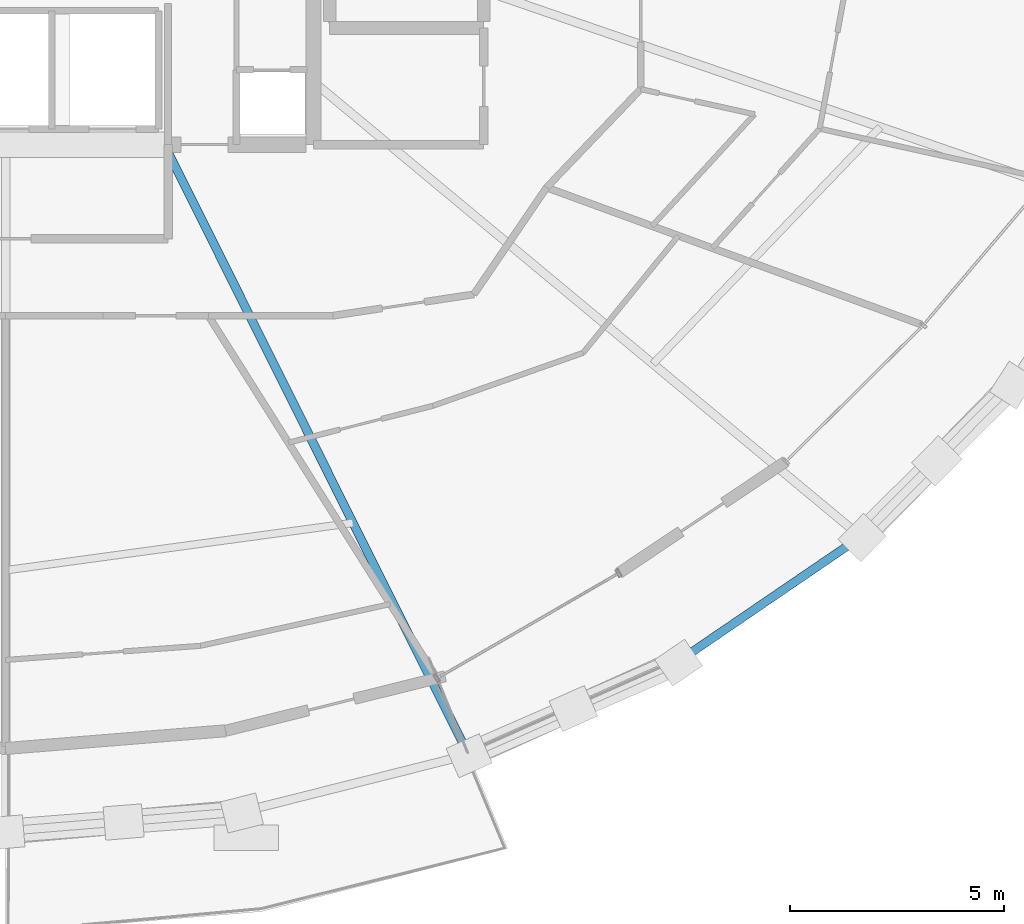
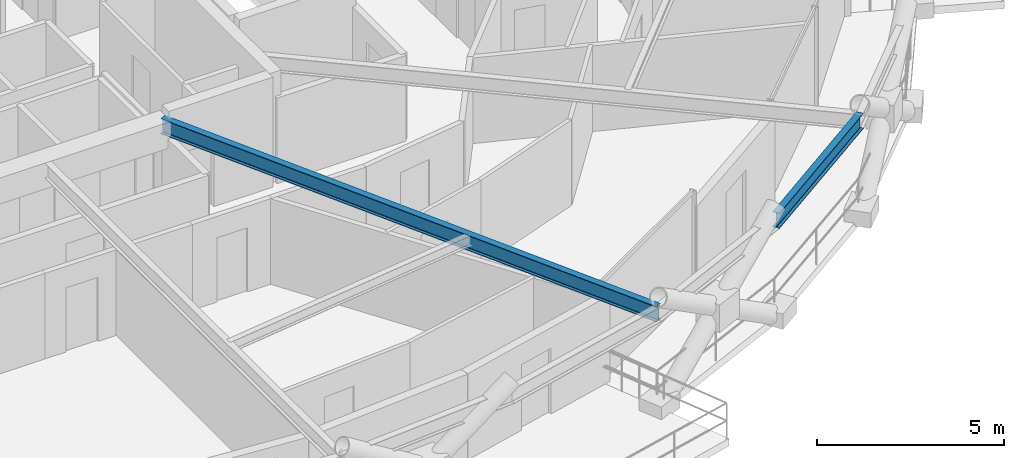
# One storey, part 3 of 14: 2 beams.
"""IFC4 building model written with IfcOpenShell, lengths in metres."""

from ifc_helpers import new_model, si_unit, direction, frame, origin, origin_2d, place, context, subcontext, project, spatial, i_section, extrude, material, material_profile, profile_set, type_object, element, save


model = new_model("IFC4")

# Units and contexts
model_context = context("Model", 3, precision=1e-05, world=origin(), true_north=direction((0.0, 1.0)))
body_context = subcontext(model_context, "Body", "Model", "MODEL_VIEW")
ifc_project = project(units=[si_unit("LENGTHUNIT", "METRE"), si_unit("AREAUNIT", "SQUARE_METRE"), si_unit("VOLUMEUNIT", "CUBIC_METRE"), si_unit("PLANEANGLEUNIT", "RADIAN"), si_unit("MASSUNIT", "GRAM", prefix="KILO")], contexts=[model_context])

# Site, building, storey
site_placement = place(None, origin())
site = spatial("IfcSite", under=ifc_project, at=site_placement, CompositionType="ELEMENT")
building_placement = place(site_placement, origin())
building = spatial("IfcBuilding", under=site, at=building_placement, Name="Veldorina Hangang Commons", CompositionType="ELEMENT")
storey_placement = place(building_placement, frame((0.0, 0.0, 149.60009765625)))
storey = spatial("IfcBuildingStorey", under=building, at=storey_placement, Name="L38", CompositionType="ELEMENT", Elevation=149.60009765625)

# Beams
ifc_material = material(Name="Steel SM420-TMC", Category="steel")
ifc_material_profile_1 = material_profile(ifc_material, i_section(OverallWidth=0.199951171875, OverallDepth=0.5, WebThickness=0.010009765625, FlangeThickness=0.01611328125, FilletRadius=0.01611328125, at=origin_2d()), Name="H-500x200x10x16")
ifc_profile_set_1 = profile_set([ifc_material_profile_1], Name="Steel SM420-TMC")
beam_type_1 = type_object("IfcBeamType", Name="BM-FG500", PredefinedType="BEAM", material=ifc_profile_set_1)
beam_1_placement = place(storey_placement, frame((35.71435546875, 16.550048828125, 3.099853515625), z_axis=(0.446189938387, -0.894938287751, 0.0), x_axis=(0.894938287751, 0.446189938387, 0.0)))
element("IfcBeam", 1, at=beam_1_placement, inside=storey, type_object=beam_type_1, Name="L38 radial floor girder 14", PredefinedType="BEAM", context=body_context, shape_type="SweptSolid", body=[
    extrude(i_section(OverallWidth=0.199951171875, OverallDepth=0.5, WebThickness=0.010009765625, FlangeThickness=0.01611328125, FilletRadius=0.01611328125, at=origin_2d()), origin(), (0.0, 0.0, 1.0), 15.936279296875),
])
ifc_material_profile_2 = material_profile(ifc_material, i_section(OverallWidth=0.199951171875, OverallDepth=0.5, WebThickness=0.010009765625, FlangeThickness=0.01611328125, FilletRadius=0.01611328125, at=origin_2d()), Name="H-500x200x10x16")
ifc_profile_set_2 = profile_set([ifc_material_profile_2], Name="Steel SM420-TMC")
beam_type_2 = type_object("IfcBeamType", Name="BM-RB500", PredefinedType="BEAM", material=ifc_profile_set_2)
beam_2_placement = place(storey_placement, frame((47.71533203125, 4.459716796875, 3.099853515625), z_axis=(0.826220373452, 0.563347046227, 0.0), x_axis=(-0.563347046227, 0.826220373452, 0.0)))
element("IfcBeam", 2, at=beam_2_placement, inside=storey, type_object=beam_type_2, Name="L38 perimeter hoop ring beam 27", PredefinedType="BEAM", context=body_context, shape_type="SweptSolid", body=[
    extrude(i_section(OverallWidth=0.199951171875, OverallDepth=0.5, WebThickness=0.010009765625, FlangeThickness=0.01611328125, FilletRadius=0.01611328125, at=origin_2d()), origin(), (0.0, 0.0, 1.0), 5.18798828125),
])

save(model, "model.ifc")
